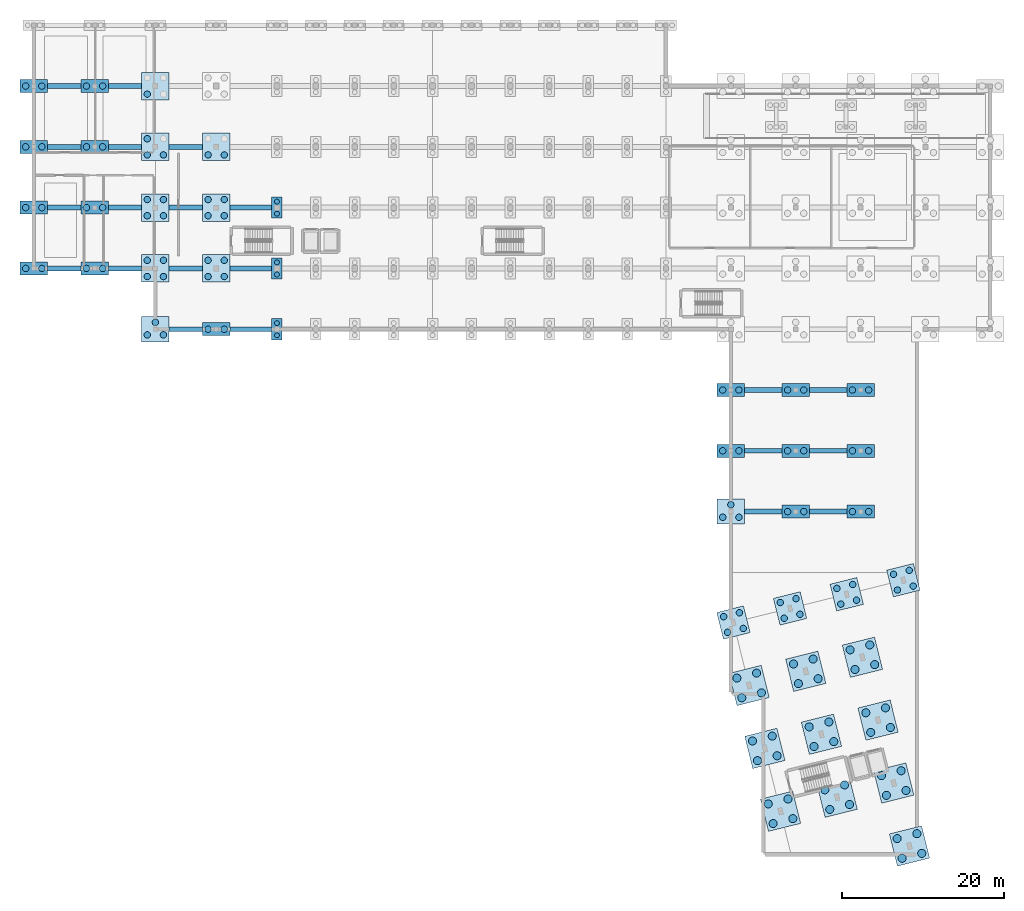
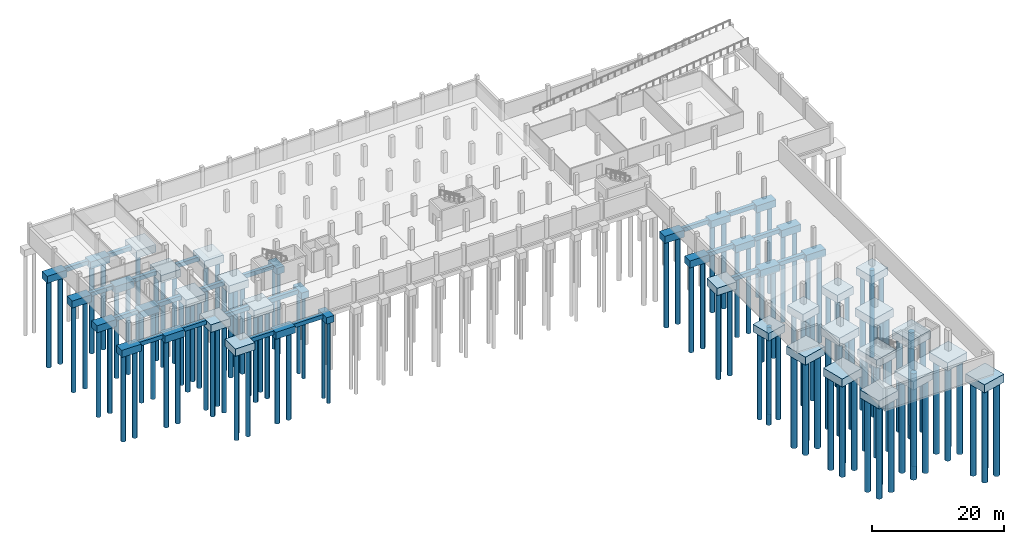
# One storey, part 1 of 17: 124 piles, 64 footings.
"""IFC4 building model written with IfcOpenShell, lengths in metres."""

from ifc_helpers import new_model, si_unit, direction, frame, origin, origin_2d, place, context, subcontext, project, spatial, rectangle, circle, extrude, material, material_profile, profile_set, type_object, element, save


model = new_model("IFC4")

# Units and contexts
model_context = context("Model", 3, precision=1e-05, world=origin(), true_north=direction((0.0, 1.0)))
body_context = subcontext(model_context, "Body", "Model", "MODEL_VIEW")
ifc_project = project(units=[si_unit("LENGTHUNIT", "METRE"), si_unit("AREAUNIT", "SQUARE_METRE"), si_unit("VOLUMEUNIT", "CUBIC_METRE"), si_unit("PLANEANGLEUNIT", "RADIAN"), si_unit("MASSUNIT", "GRAM", prefix="KILO")], contexts=[model_context])

# Site, building, storey
site_placement = place(None, origin())
site = spatial("IfcSite", under=ifc_project, at=site_placement, CompositionType="ELEMENT")
building_placement = place(site_placement, origin())
building = spatial("IfcBuilding", under=site, at=building_placement, Name="Mawjan Specialist Oncology Clinic", CompositionType="ELEMENT")
storey_placement = place(building_placement, frame((0.0, 0.0, -4.199951171875)))
storey = spatial("IfcBuildingStorey", under=building, at=storey_placement, Name="B01", CompositionType="ELEMENT", Elevation=-4.199951171875)

# Footings
ifc_material_1 = material(Name="Concrete C40/50", Category="concrete")
footing_type_1 = type_object("IfcFootingType", Name="PC-2A", PredefinedType="PILE_CAP", material=ifc_material_1)
for number, where, z_axis, x_axis, name in (
    (1, (60.0, 75.800048828125, -1.64990234375), (0.0, 0.0, 1.0), (0.0, 1.0, 0.0), "Pile Cap FTG-PC-113"),
    (2, (60.0, 83.300048828125, -1.64990234375), (0.0, 0.0, 1.0), (0.0, 1.0, 0.0), "Pile Cap FTG-PC-114"),
    (3, (60.0, 90.800048828125, -1.64990234375), (0.0, 0.0, 1.0), (0.0, 1.0, 0.0), "Pile Cap FTG-PC-115"),
):
    element("IfcFooting", number, at=place(storey_placement, frame(where, z_axis=z_axis, x_axis=x_axis)), inside=storey, type_object=footing_type_1, Name=name, PredefinedType="PILE_CAP", context=body_context, shape_type="SweptSolid", body=[
        extrude(rectangle(XDim=2.60009765625, YDim=1.300048828125, at=origin_2d()), origin(), (0.0, 0.0, 1.0), 1.199951171875),
    ])
ifc_material_2 = material(Name="Concrete C40/50", Category="concrete")
footing_type_2 = type_object("IfcFootingType", Name="PC-2B", PredefinedType="PILE_CAP", material=ifc_material_2)
for number, where, z_axis, x_axis, name in (
    (4, (30.0, 83.300048828125, -1.75), (0.0, 0.0, 1.0), (1.0, 0.0, 0.0), "Pile Cap FTG-PC-054"),
    (5, (30.0, 90.800048828125, -1.75), (0.0, 0.0, 1.0), (1.0, 0.0, 0.0), "Pile Cap FTG-PC-055"),
    (6, (30.0, 98.300048828125, -1.75), (0.0, 0.0, 1.0), (1.0, 0.0, 0.0), "Pile Cap FTG-PC-056"),
    (7, (30.0, 105.800048828125, -1.75), (0.0, 0.0, 1.0), (1.0, 0.0, 0.0), "Pile Cap FTG-PC-057"),
    (8, (37.5, 83.300048828125, -1.75), (0.0, 0.0, 1.0), (1.0, 0.0, 0.0), "Pile Cap FTG-PC-070"),
    (9, (37.5, 90.800048828125, -1.75), (0.0, 0.0, 1.0), (1.0, 0.0, 0.0), "Pile Cap FTG-PC-071"),
    (10, (37.5, 98.300048828125, -1.75), (0.0, 0.0, 1.0), (1.0, 0.0, 0.0), "Pile Cap FTG-PC-072"),
    (11, (37.5, 105.800048828125, -1.75), (0.0, 0.0, 1.0), (1.0, 0.0, 0.0), "Pile Cap FTG-PC-073"),
    (12, (52.5, 75.800048828125, -1.75), (0.0, 0.0, 1.0), (1.0, 0.0, 0.0), "Pile Cap FTG-PC-098"),
    (13, (116.0, 60.800048828125, -1.75), (0.0, 0.0, 1.0), (1.0, 0.0, 0.0), "Pile Cap FTG-PC-217"),
    (14, (116.0, 68.300048828125, -1.75), (0.0, 0.0, 1.0), (1.0, 0.0, 0.0), "Pile Cap FTG-PC-218"),
    (15, (124.0, 53.300048828125, -1.75), (0.0, 0.0, 1.0), (1.0, 0.0, 0.0), "Pile Cap FTG-PC-225"),
    (16, (124.0, 60.800048828125, -1.75), (0.0, 0.0, 1.0), (1.0, 0.0, 0.0), "Pile Cap FTG-PC-226"),
    (17, (124.0, 68.300048828125, -1.75), (0.0, 0.0, 1.0), (1.0, 0.0, 0.0), "Pile Cap FTG-PC-227"),
    (18, (132.0, 53.300048828125, -1.75), (0.0, 0.0, 1.0), (1.0, 0.0, 0.0), "Pile Cap FTG-PC-234"),
    (19, (132.0, 60.800048828125, -1.75), (0.0, 0.0, 1.0), (1.0, 0.0, 0.0), "Pile Cap FTG-PC-235"),
    (20, (132.0, 68.300048828125, -1.75), (0.0, 0.0, 1.0), (1.0, 0.0, 0.0), "Pile Cap FTG-PC-236"),
):
    element("IfcFooting", number, at=place(storey_placement, frame(where, z_axis=z_axis, x_axis=x_axis)), inside=storey, type_object=footing_type_2, Name=name, PredefinedType="PILE_CAP", context=body_context, shape_type="SweptSolid", body=[
        extrude(rectangle(XDim=3.39990234375, YDim=1.60009765625, at=origin_2d()), origin(), (0.0, 0.0, 1.0), 1.300048828125),
    ])
ifc_material_3 = material(Name="Concrete C40/50", Category="concrete")
footing_type_3 = type_object("IfcFootingType", Name="PC-3A", PredefinedType="PILE_CAP", material=ifc_material_3)
for number, where, z_axis, x_axis, name in (
    (21, (45.0, 75.800048828125, -1.800048828125), (0.0, 0.0, 1.0), (1.0, 0.0, 0.0), "Pile Cap FTG-PC-085"),
    (22, (116.0, 53.300048828125, -1.800048828125), (0.0, 0.0, 1.0), (1.0, 0.0, 0.0), "Pile Cap FTG-PC-216"),
):
    element("IfcFooting", number, at=place(storey_placement, frame(where, z_axis=z_axis, x_axis=x_axis)), inside=storey, type_object=footing_type_3, Name=name, PredefinedType="PILE_CAP", context=body_context, shape_type="SweptSolid", body=[
        extrude(rectangle(XDim=3.39990234375, YDim=3.10009765625, at=origin_2d()), origin(), (0.0, 0.0, 1.0), 1.35009765625),
    ])
ifc_material_4 = material(Name="Concrete C40/50", Category="concrete")
footing_type_4 = type_object("IfcFootingType", Name="PC-4A", PredefinedType="PILE_CAP", material=ifc_material_4)
for number, where, z_axis, x_axis, name in (
    (23, (45.0, 83.300048828125, -1.85009765625), (0.0, 0.0, 1.0), (1.0, 0.0, 0.0), "Pile Cap FTG-PC-086"),
    (24, (45.0, 90.800048828125, -1.85009765625), (0.0, 0.0, 1.0), (1.0, 0.0, 0.0), "Pile Cap FTG-PC-087"),
    (25, (45.0, 98.300048828125, -1.85009765625), (0.0, 0.0, 1.0), (1.0, 0.0, 0.0), "Pile Cap FTG-PC-088"),
    (26, (45.0, 105.800048828125, -1.85009765625), (0.0, 0.0, 1.0), (1.0, 0.0, 0.0), "Pile Cap FTG-PC-089"),
    (27, (52.5, 83.300048828125, -1.85009765625), (0.0, 0.0, 1.0), (1.0, 0.0, 0.0), "Pile Cap FTG-PC-099"),
    (28, (52.5, 90.800048828125, -1.85009765625), (0.0, 0.0, 1.0), (1.0, 0.0, 0.0), "Pile Cap FTG-PC-100"),
    (29, (52.5, 98.300048828125, -1.85009765625), (0.0, 0.0, 1.0), (1.0, 0.0, 0.0), "Pile Cap FTG-PC-101"),
    (30, (116.3232421875, 39.61181640625, -1.85009765625), (0.0, 0.0, 1.0), (0.970295726276, 0.2419218956, 0.0), "Pile Cap FTG-PC-268"),
    (31, (123.309326171875, 41.353759765625, -1.85009765625), (0.0, 0.0, 1.0), (0.970295726276, 0.2419218956, 0.0), "Pile Cap FTG-PC-274"),
    (32, (130.29541015625, 43.095458984375, -1.85009765625), (0.0, 0.0, 1.0), (0.970295726276, 0.2419218956, 0.0), "Pile Cap FTG-PC-280"),
    (33, (137.281494140625, 44.83740234375, -1.85009765625), (0.0, 0.0, 1.0), (0.970295726276, 0.2419218956, 0.0), "Pile Cap FTG-PC-286"),
):
    element("IfcFooting", number, at=place(storey_placement, frame(where, z_axis=z_axis, x_axis=x_axis)), inside=storey, type_object=footing_type_4, Name=name, PredefinedType="PILE_CAP", context=body_context, shape_type="SweptSolid", body=[
        extrude(rectangle(XDim=3.39990234375, YDim=3.39990234375, at=origin_2d()), origin(), (0.0, 0.0, 1.0), 1.39990234375),
    ])
ifc_material_5 = material(Name="Concrete C40/50", Category="concrete")
footing_type_5 = type_object("IfcFootingType", Name="PC-4B", PredefinedType="PILE_CAP", material=ifc_material_5)
for number, where, z_axis, x_axis, name in (
    (34, (122.129150390625, 16.32470703125, -1.949951171875), (0.0, 0.0, 1.0), (0.970295726276, 0.2419218956, 0.0), "Pile Cap FTG-PC-265"),
    (35, (120.19384765625, 24.087158203125, -1.949951171875), (0.0, 0.0, 1.0), (0.970295726276, 0.2419218956, 0.0), "Pile Cap FTG-PC-266"),
    (36, (118.258544921875, 31.849365234375, -1.949951171875), (0.0, 0.0, 1.0), (0.970295726276, 0.2419218956, 0.0), "Pile Cap FTG-PC-267"),
    (37, (129.115478515625, 18.066650390625, -1.949951171875), (0.0, 0.0, 1.0), (0.970295726276, 0.2419218956, 0.0), "Pile Cap FTG-PC-271"),
    (38, (127.179931640625, 25.828857421875, -1.949951171875), (0.0, 0.0, 1.0), (0.970295726276, 0.2419218956, 0.0), "Pile Cap FTG-PC-272"),
    (39, (125.24462890625, 33.59130859375, -1.949951171875), (0.0, 0.0, 1.0), (0.970295726276, 0.2419218956, 0.0), "Pile Cap FTG-PC-273"),
    (40, (138.036865234375, 12.046142578125, -1.949951171875), (0.0, 0.0, 1.0), (0.970295726276, 0.2419218956, 0.0), "Pile Cap FTG-PC-276"),
    (41, (136.1015625, 19.808349609375, -1.949951171875), (0.0, 0.0, 1.0), (0.970295726276, 0.2419218956, 0.0), "Pile Cap FTG-PC-277"),
    (42, (134.166015625, 27.57080078125, -1.949951171875), (0.0, 0.0, 1.0), (0.970295726276, 0.2419218956, 0.0), "Pile Cap FTG-PC-278"),
    (43, (132.230712890625, 35.333251953125, -1.949951171875), (0.0, 0.0, 1.0), (0.970295726276, 0.2419218956, 0.0), "Pile Cap FTG-PC-279"),
):
    element("IfcFooting", number, at=place(storey_placement, frame(where, z_axis=z_axis, x_axis=x_axis)), inside=storey, type_object=footing_type_5, Name=name, PredefinedType="PILE_CAP", context=body_context, shape_type="SweptSolid", body=[
        extrude(rectangle(XDim=4.10009765625, YDim=4.10009765625, at=origin_2d()), origin(), (0.0, 0.0, 1.0), 1.5),
    ])

# Piles
ifc_material_6 = material(Name="Concrete C40/50", Category="concrete")
ifc_material_profile_1 = material_profile(ifc_material_6, circle(Radius=0.5, at=origin_2d()), Name="BORED PILE D1000", Category="concrete")
ifc_profile_set_1 = profile_set([ifc_material_profile_1], Name="Concrete C40/50")
pile_type_1 = type_object("IfcPileType", Name="PILE-1000", PredefinedType="BORED", material=ifc_profile_set_1)
for number, where, z_axis, x_axis, name in (
    (44, (121.21875, 14.8095703125, -1.85009765625), (0.0, 0.0, -1.0), (1.0, 0.0, 0.0), "Bored Pile PIL-0654"),
    (45, (123.64453125, 15.414306640625, -1.85009765625), (0.0, 0.0, -1.0), (1.0, 0.0, 0.0), "Bored Pile PIL-0655"),
    (46, (120.614013671875, 17.235107421875, -1.85009765625), (0.0, 0.0, -1.0), (1.0, 0.0, 0.0), "Bored Pile PIL-0656"),
    (47, (123.039794921875, 17.840087890625, -1.85009765625), (0.0, 0.0, -1.0), (1.0, 0.0, 0.0), "Bored Pile PIL-0657"),
    (48, (119.283447265625, 22.57177734375, -1.85009765625), (0.0, 0.0, -1.0), (1.0, 0.0, 0.0), "Bored Pile PIL-0658"),
    (49, (121.709228515625, 23.176513671875, -1.85009765625), (0.0, 0.0, -1.0), (1.0, 0.0, 0.0), "Bored Pile PIL-0659"),
    (50, (118.6787109375, 24.99755859375, -1.85009765625), (0.0, 0.0, -1.0), (1.0, 0.0, 0.0), "Bored Pile PIL-0660"),
    (51, (121.104248046875, 25.602294921875, -1.85009765625), (0.0, 0.0, -1.0), (1.0, 0.0, 0.0), "Bored Pile PIL-0661"),
    (52, (117.34814453125, 30.334228515625, -1.85009765625), (0.0, 0.0, -1.0), (1.0, 0.0, 0.0), "Bored Pile PIL-0662"),
    (53, (119.773681640625, 30.93896484375, -1.85009765625), (0.0, 0.0, -1.0), (1.0, 0.0, 0.0), "Bored Pile PIL-0663"),
    (54, (116.7431640625, 32.760009765625, -1.85009765625), (0.0, 0.0, -1.0), (1.0, 0.0, 0.0), "Bored Pile PIL-0664"),
    (55, (119.1689453125, 33.36474609375, -1.85009765625), (0.0, 0.0, -1.0), (1.0, 0.0, 0.0), "Bored Pile PIL-0665"),
    (56, (128.204833984375, 16.55126953125, -1.85009765625), (0.0, 0.0, -1.0), (1.0, 0.0, 0.0), "Bored Pile PIL-0678"),
    (57, (130.630615234375, 17.156005859375, -1.85009765625), (0.0, 0.0, -1.0), (1.0, 0.0, 0.0), "Bored Pile PIL-0679"),
    (58, (127.60009765625, 18.97705078125, -1.85009765625), (0.0, 0.0, -1.0), (1.0, 0.0, 0.0), "Bored Pile PIL-0680"),
    (59, (130.02587890625, 19.581787109375, -1.85009765625), (0.0, 0.0, -1.0), (1.0, 0.0, 0.0), "Bored Pile PIL-0681"),
    (60, (126.26953125, 24.313720703125, -1.85009765625), (0.0, 0.0, -1.0), (1.0, 0.0, 0.0), "Bored Pile PIL-0682"),
    (61, (128.6953125, 24.91845703125, -1.85009765625), (0.0, 0.0, -1.0), (1.0, 0.0, 0.0), "Bored Pile PIL-0683"),
    (62, (125.664794921875, 26.739501953125, -1.85009765625), (0.0, 0.0, -1.0), (1.0, 0.0, 0.0), "Bored Pile PIL-0684"),
    (63, (128.090576171875, 27.34423828125, -1.85009765625), (0.0, 0.0, -1.0), (1.0, 0.0, 0.0), "Bored Pile PIL-0685"),
    (64, (124.334228515625, 32.075927734375, -1.85009765625), (0.0, 0.0, -1.0), (1.0, 0.0, 0.0), "Bored Pile PIL-0686"),
    (65, (126.760009765625, 32.680908203125, -1.85009765625), (0.0, 0.0, -1.0), (1.0, 0.0, 0.0), "Bored Pile PIL-0687"),
    (66, (123.729248046875, 34.501708984375, -1.85009765625), (0.0, 0.0, -1.0), (1.0, 0.0, 0.0), "Bored Pile PIL-0688"),
    (67, (126.155029296875, 35.106689453125, -1.85009765625), (0.0, 0.0, -1.0), (1.0, 0.0, 0.0), "Bored Pile PIL-0689"),
    (68, (137.12646484375, 10.53076171875, -1.85009765625), (0.0, 0.0, -1.0), (1.0, 0.0, 0.0), "Bored Pile PIL-0698"),
    (69, (139.55224609375, 11.135498046875, -1.85009765625), (0.0, 0.0, -1.0), (1.0, 0.0, 0.0), "Bored Pile PIL-0699"),
    (70, (136.521728515625, 12.95654296875, -1.85009765625), (0.0, 0.0, -1.0), (1.0, 0.0, 0.0), "Bored Pile PIL-0700"),
    (71, (138.947265625, 13.561279296875, -1.85009765625), (0.0, 0.0, -1.0), (1.0, 0.0, 0.0), "Bored Pile PIL-0701"),
    (72, (135.191162109375, 18.293212890625, -1.85009765625), (0.0, 0.0, -1.0), (1.0, 0.0, 0.0), "Bored Pile PIL-0702"),
    (73, (137.61669921875, 18.89794921875, -1.85009765625), (0.0, 0.0, -1.0), (1.0, 0.0, 0.0), "Bored Pile PIL-0703"),
    (74, (134.586181640625, 20.718994140625, -1.85009765625), (0.0, 0.0, -1.0), (1.0, 0.0, 0.0), "Bored Pile PIL-0704"),
    (75, (137.011962890625, 21.32373046875, -1.85009765625), (0.0, 0.0, -1.0), (1.0, 0.0, 0.0), "Bored Pile PIL-0705"),
    (76, (133.255615234375, 26.055419921875, -1.85009765625), (0.0, 0.0, -1.0), (1.0, 0.0, 0.0), "Bored Pile PIL-0706"),
    (77, (135.681396484375, 26.660400390625, -1.85009765625), (0.0, 0.0, -1.0), (1.0, 0.0, 0.0), "Bored Pile PIL-0707"),
    (78, (132.65087890625, 28.481201171875, -1.85009765625), (0.0, 0.0, -1.0), (1.0, 0.0, 0.0), "Bored Pile PIL-0708"),
    (79, (135.07666015625, 29.0859375, -1.85009765625), (0.0, 0.0, -1.0), (1.0, 0.0, 0.0), "Bored Pile PIL-0709"),
    (80, (131.3203125, 33.81787109375, -1.85009765625), (0.0, 0.0, -1.0), (1.0, 0.0, 0.0), "Bored Pile PIL-0710"),
    (81, (133.74609375, 34.422607421875, -1.85009765625), (0.0, 0.0, -1.0), (1.0, 0.0, 0.0), "Bored Pile PIL-0711"),
    (82, (130.715576171875, 36.24365234375, -1.85009765625), (0.0, 0.0, -1.0), (1.0, 0.0, 0.0), "Bored Pile PIL-0712"),
    (83, (133.14111328125, 36.848388671875, -1.85009765625), (0.0, 0.0, -1.0), (1.0, 0.0, 0.0), "Bored Pile PIL-0713"),
):
    element("IfcPile", number, at=place(storey_placement, frame(where, z_axis=z_axis, x_axis=x_axis)), inside=storey, type_object=pile_type_1, Name=name, PredefinedType="BORED", context=body_context, shape_type="SweptSolid", body=[
        extrude(circle(Radius=0.5, at=origin_2d()), origin(), (0.0, 0.0, 1.0), 17.14990234375),
    ])
ifc_material_7 = material(Name="Concrete C40/50", Category="concrete")
ifc_material_profile_2 = material_profile(ifc_material_7, circle(Radius=0.300048828125, at=origin_2d()), Name="BORED PILE D600", Category="concrete")
ifc_profile_set_2 = profile_set([ifc_material_profile_2], Name="Concrete C40/50")
pile_type_2 = type_object("IfcPileType", Name="PILE-600", PredefinedType="BORED", material=ifc_profile_set_2)
for number, where, z_axis, x_axis, name in (
    (84, (60.0, 75.050048828125, -1.550048828125), (0.0, 0.0, -1.0), (1.0, 0.0, 0.0), "Bored Pile PIL-0323"),
    (85, (60.0, 76.550048828125, -1.550048828125), (0.0, 0.0, -1.0), (1.0, 0.0, 0.0), "Bored Pile PIL-0324"),
    (86, (60.0, 82.550048828125, -1.550048828125), (0.0, 0.0, -1.0), (1.0, 0.0, 0.0), "Bored Pile PIL-0325"),
    (87, (60.0, 84.050048828125, -1.550048828125), (0.0, 0.0, -1.0), (1.0, 0.0, 0.0), "Bored Pile PIL-0326"),
    (88, (60.0, 90.050048828125, -1.550048828125), (0.0, 0.0, -1.0), (1.0, 0.0, 0.0), "Bored Pile PIL-0327"),
    (89, (60.0, 91.550048828125, -1.550048828125), (0.0, 0.0, -1.0), (1.0, 0.0, 0.0), "Bored Pile PIL-0328"),
):
    element("IfcPile", number, at=place(storey_placement, frame(where, z_axis=z_axis, x_axis=x_axis)), inside=storey, type_object=pile_type_2, Name=name, PredefinedType="BORED", context=body_context, shape_type="SweptSolid", body=[
        extrude(circle(Radius=0.300048828125, at=origin_2d()), origin(), (0.0, 0.0, 1.0), 15.050048828125),
    ])
ifc_material_8 = material(Name="Concrete C40/50", Category="concrete")
ifc_material_profile_3 = material_profile(ifc_material_8, circle(Radius=0.39990234375, at=origin_2d()), Name="BORED PILE D800", Category="concrete")
ifc_profile_set_3 = profile_set([ifc_material_profile_3], Name="Concrete C40/50")
pile_type_3 = type_object("IfcPileType", Name="PILE-800", PredefinedType="BORED", material=ifc_profile_set_3)
for number, where, z_axis, x_axis, name in (
    (90, (29.0, 83.300048828125, -1.650146484375), (0.0, 0.0, -1.0), (1.0, 0.0, 0.0), "Bored Pile PIL-0164"),
    (91, (31.0, 83.300048828125, -1.650146484375), (0.0, 0.0, -1.0), (1.0, 0.0, 0.0), "Bored Pile PIL-0165"),
    (92, (29.0, 90.800048828125, -1.650146484375), (0.0, 0.0, -1.0), (1.0, 0.0, 0.0), "Bored Pile PIL-0166"),
    (93, (31.0, 90.800048828125, -1.650146484375), (0.0, 0.0, -1.0), (1.0, 0.0, 0.0), "Bored Pile PIL-0167"),
    (94, (29.0, 98.300048828125, -1.650146484375), (0.0, 0.0, -1.0), (1.0, 0.0, 0.0), "Bored Pile PIL-0168"),
    (95, (31.0, 98.300048828125, -1.650146484375), (0.0, 0.0, -1.0), (1.0, 0.0, 0.0), "Bored Pile PIL-0169"),
    (96, (29.0, 105.800048828125, -1.650146484375), (0.0, 0.0, -1.0), (1.0, 0.0, 0.0), "Bored Pile PIL-0170"),
    (97, (31.0, 105.800048828125, -1.650146484375), (0.0, 0.0, -1.0), (1.0, 0.0, 0.0), "Bored Pile PIL-0171"),
    (98, (36.5, 83.300048828125, -1.650146484375), (0.0, 0.0, -1.0), (1.0, 0.0, 0.0), "Bored Pile PIL-0210"),
    (99, (38.5, 83.300048828125, -1.650146484375), (0.0, 0.0, -1.0), (1.0, 0.0, 0.0), "Bored Pile PIL-0211"),
    (100, (36.5, 90.800048828125, -1.650146484375), (0.0, 0.0, -1.0), (1.0, 0.0, 0.0), "Bored Pile PIL-0212"),
    (101, (38.5, 90.800048828125, -1.650146484375), (0.0, 0.0, -1.0), (1.0, 0.0, 0.0), "Bored Pile PIL-0213"),
    (102, (36.5, 98.300048828125, -1.650146484375), (0.0, 0.0, -1.0), (1.0, 0.0, 0.0), "Bored Pile PIL-0214"),
    (103, (38.5, 98.300048828125, -1.650146484375), (0.0, 0.0, -1.0), (1.0, 0.0, 0.0), "Bored Pile PIL-0215"),
    (104, (36.5, 105.800048828125, -1.650146484375), (0.0, 0.0, -1.0), (1.0, 0.0, 0.0), "Bored Pile PIL-0216"),
    (105, (38.5, 105.800048828125, -1.650146484375), (0.0, 0.0, -1.0), (1.0, 0.0, 0.0), "Bored Pile PIL-0217"),
):
    element("IfcPile", number, at=place(storey_placement, frame(where, z_axis=z_axis, x_axis=x_axis)), inside=storey, type_object=pile_type_3, Name=name, PredefinedType="BORED", context=body_context, shape_type="SweptSolid", body=[
        extrude(circle(Radius=0.39990234375, at=origin_2d()), origin(), (0.0, 0.0, 1.0), 16.14990234375),
    ])
for number, where, z_axis, x_axis, name in (
    (106, (44.0, 75.10009765625, -1.699951171875), (0.0, 0.0, -1.0), (1.0, 0.0, 0.0), "Bored Pile PIL-0250"),
    (107, (46.0, 75.10009765625, -1.699951171875), (0.0, 0.0, -1.0), (1.0, 0.0, 0.0), "Bored Pile PIL-0251"),
    (108, (45.0, 76.64990234375, -1.699951171875), (0.0, 0.0, -1.0), (1.0, 0.0, 0.0), "Bored Pile PIL-0252"),
):
    element("IfcPile", number, at=place(storey_placement, frame(where, z_axis=z_axis, x_axis=x_axis)), inside=storey, type_object=pile_type_3, Name=name, PredefinedType="BORED", context=body_context, shape_type="SweptSolid", body=[
        extrude(circle(Radius=0.39990234375, at=origin_2d()), origin(), (0.0, 0.0, 1.0), 16.10009765625),
    ])
for number, where, z_axis, x_axis, name in (
    (109, (44.0, 82.300048828125, -1.75), (0.0, 0.0, -1.0), (1.0, 0.0, 0.0), "Bored Pile PIL-0253"),
    (110, (46.0, 82.300048828125, -1.75), (0.0, 0.0, -1.0), (1.0, 0.0, 0.0), "Bored Pile PIL-0254"),
    (111, (44.0, 84.300048828125, -1.75), (0.0, 0.0, -1.0), (1.0, 0.0, 0.0), "Bored Pile PIL-0255"),
    (112, (46.0, 84.300048828125, -1.75), (0.0, 0.0, -1.0), (1.0, 0.0, 0.0), "Bored Pile PIL-0256"),
    (113, (44.0, 89.800048828125, -1.75), (0.0, 0.0, -1.0), (1.0, 0.0, 0.0), "Bored Pile PIL-0257"),
    (114, (46.0, 89.800048828125, -1.75), (0.0, 0.0, -1.0), (1.0, 0.0, 0.0), "Bored Pile PIL-0258"),
    (115, (44.0, 91.800048828125, -1.75), (0.0, 0.0, -1.0), (1.0, 0.0, 0.0), "Bored Pile PIL-0259"),
    (116, (46.0, 91.800048828125, -1.75), (0.0, 0.0, -1.0), (1.0, 0.0, 0.0), "Bored Pile PIL-0260"),
    (117, (44.0, 97.300048828125, -1.75), (0.0, 0.0, -1.0), (1.0, 0.0, 0.0), "Bored Pile PIL-0261"),
    (118, (46.0, 97.300048828125, -1.75), (0.0, 0.0, -1.0), (1.0, 0.0, 0.0), "Bored Pile PIL-0262"),
    (119, (44.0, 99.300048828125, -1.75), (0.0, 0.0, -1.0), (1.0, 0.0, 0.0), "Bored Pile PIL-0263"),
    (120, (44.0, 104.800048828125, -1.75), (0.0, 0.0, -1.0), (1.0, 0.0, 0.0), "Bored Pile PIL-0265"),
):
    element("IfcPile", number, at=place(storey_placement, frame(where, z_axis=z_axis, x_axis=x_axis)), inside=storey, type_object=pile_type_3, Name=name, PredefinedType="BORED", context=body_context, shape_type="SweptSolid", body=[
        extrude(circle(Radius=0.39990234375, at=origin_2d()), origin(), (0.0, 0.0, 1.0), 16.050048828125),
    ])
for number, where, z_axis, x_axis, name in (
    (121, (51.5, 75.800048828125, -1.650146484375), (0.0, 0.0, -1.0), (1.0, 0.0, 0.0), "Bored Pile PIL-0285"),
    (122, (53.5, 75.800048828125, -1.650146484375), (0.0, 0.0, -1.0), (1.0, 0.0, 0.0), "Bored Pile PIL-0286"),
):
    element("IfcPile", number, at=place(storey_placement, frame(where, z_axis=z_axis, x_axis=x_axis)), inside=storey, type_object=pile_type_3, Name=name, PredefinedType="BORED", context=body_context, shape_type="SweptSolid", body=[
        extrude(circle(Radius=0.39990234375, at=origin_2d()), origin(), (0.0, 0.0, 1.0), 16.14990234375),
    ])
for number, where, z_axis, x_axis, name in (
    (123, (51.5, 82.300048828125, -1.75), (0.0, 0.0, -1.0), (1.0, 0.0, 0.0), "Bored Pile PIL-0287"),
    (124, (53.5, 82.300048828125, -1.75), (0.0, 0.0, -1.0), (1.0, 0.0, 0.0), "Bored Pile PIL-0288"),
    (125, (51.5, 84.300048828125, -1.75), (0.0, 0.0, -1.0), (1.0, 0.0, 0.0), "Bored Pile PIL-0289"),
    (126, (53.5, 84.300048828125, -1.75), (0.0, 0.0, -1.0), (1.0, 0.0, 0.0), "Bored Pile PIL-0290"),
    (127, (51.5, 89.800048828125, -1.75), (0.0, 0.0, -1.0), (1.0, 0.0, 0.0), "Bored Pile PIL-0291"),
    (128, (53.5, 89.800048828125, -1.75), (0.0, 0.0, -1.0), (1.0, 0.0, 0.0), "Bored Pile PIL-0292"),
    (129, (51.5, 91.800048828125, -1.75), (0.0, 0.0, -1.0), (1.0, 0.0, 0.0), "Bored Pile PIL-0293"),
    (130, (53.5, 91.800048828125, -1.75), (0.0, 0.0, -1.0), (1.0, 0.0, 0.0), "Bored Pile PIL-0294"),
    (131, (51.5, 97.300048828125, -1.75), (0.0, 0.0, -1.0), (1.0, 0.0, 0.0), "Bored Pile PIL-0295"),
    (132, (53.5, 97.300048828125, -1.75), (0.0, 0.0, -1.0), (1.0, 0.0, 0.0), "Bored Pile PIL-0296"),
):
    element("IfcPile", number, at=place(storey_placement, frame(where, z_axis=z_axis, x_axis=x_axis)), inside=storey, type_object=pile_type_3, Name=name, PredefinedType="BORED", context=body_context, shape_type="SweptSolid", body=[
        extrude(circle(Radius=0.39990234375, at=origin_2d()), origin(), (0.0, 0.0, 1.0), 16.050048828125),
    ])
for number, where, z_axis, x_axis, name in (
    (133, (115.0, 52.60009765625, -1.699951171875), (0.0, 0.0, -1.0), (1.0, 0.0, 0.0), "Bored Pile PIL-0529"),
    (134, (117.0, 52.60009765625, -1.699951171875), (0.0, 0.0, -1.0), (1.0, 0.0, 0.0), "Bored Pile PIL-0530"),
    (135, (116.0, 54.14990234375, -1.699951171875), (0.0, 0.0, -1.0), (1.0, 0.0, 0.0), "Bored Pile PIL-0531"),
):
    element("IfcPile", number, at=place(storey_placement, frame(where, z_axis=z_axis, x_axis=x_axis)), inside=storey, type_object=pile_type_3, Name=name, PredefinedType="BORED", context=body_context, shape_type="SweptSolid", body=[
        extrude(circle(Radius=0.39990234375, at=origin_2d()), origin(), (0.0, 0.0, 1.0), 16.10009765625),
    ])
for number, where, z_axis, x_axis, name in (
    (136, (115.0, 60.800048828125, -1.650146484375), (0.0, 0.0, -1.0), (1.0, 0.0, 0.0), "Bored Pile PIL-0532"),
    (137, (117.0, 60.800048828125, -1.650146484375), (0.0, 0.0, -1.0), (1.0, 0.0, 0.0), "Bored Pile PIL-0533"),
    (138, (115.0, 68.300048828125, -1.650146484375), (0.0, 0.0, -1.0), (1.0, 0.0, 0.0), "Bored Pile PIL-0534"),
    (139, (117.0, 68.300048828125, -1.650146484375), (0.0, 0.0, -1.0), (1.0, 0.0, 0.0), "Bored Pile PIL-0535"),
    (140, (123.0, 53.300048828125, -1.650146484375), (0.0, 0.0, -1.0), (1.0, 0.0, 0.0), "Bored Pile PIL-0553"),
    (141, (125.0, 53.300048828125, -1.650146484375), (0.0, 0.0, -1.0), (1.0, 0.0, 0.0), "Bored Pile PIL-0554"),
    (142, (123.0, 60.800048828125, -1.650146484375), (0.0, 0.0, -1.0), (1.0, 0.0, 0.0), "Bored Pile PIL-0555"),
    (143, (125.0, 60.800048828125, -1.650146484375), (0.0, 0.0, -1.0), (1.0, 0.0, 0.0), "Bored Pile PIL-0556"),
    (144, (123.0, 68.300048828125, -1.650146484375), (0.0, 0.0, -1.0), (1.0, 0.0, 0.0), "Bored Pile PIL-0557"),
    (145, (125.0, 68.300048828125, -1.650146484375), (0.0, 0.0, -1.0), (1.0, 0.0, 0.0), "Bored Pile PIL-0558"),
    (146, (131.0, 53.300048828125, -1.650146484375), (0.0, 0.0, -1.0), (1.0, 0.0, 0.0), "Bored Pile PIL-0576"),
    (147, (133.0, 53.300048828125, -1.650146484375), (0.0, 0.0, -1.0), (1.0, 0.0, 0.0), "Bored Pile PIL-0577"),
    (148, (131.0, 60.800048828125, -1.650146484375), (0.0, 0.0, -1.0), (1.0, 0.0, 0.0), "Bored Pile PIL-0578"),
    (149, (133.0, 60.800048828125, -1.650146484375), (0.0, 0.0, -1.0), (1.0, 0.0, 0.0), "Bored Pile PIL-0579"),
    (150, (131.0, 68.300048828125, -1.650146484375), (0.0, 0.0, -1.0), (1.0, 0.0, 0.0), "Bored Pile PIL-0580"),
    (151, (133.0, 68.300048828125, -1.650146484375), (0.0, 0.0, -1.0), (1.0, 0.0, 0.0), "Bored Pile PIL-0581"),
):
    element("IfcPile", number, at=place(storey_placement, frame(where, z_axis=z_axis, x_axis=x_axis)), inside=storey, type_object=pile_type_3, Name=name, PredefinedType="BORED", context=body_context, shape_type="SweptSolid", body=[
        extrude(circle(Radius=0.39990234375, at=origin_2d()), origin(), (0.0, 0.0, 1.0), 16.14990234375),
    ])
for number, where, z_axis, x_axis, name in (
    (152, (115.5947265625, 38.399658203125, -1.75), (0.0, 0.0, -1.0), (1.0, 0.0, 0.0), "Bored Pile PIL-0666"),
    (153, (117.535400390625, 38.883544921875, -1.75), (0.0, 0.0, -1.0), (1.0, 0.0, 0.0), "Bored Pile PIL-0667"),
    (154, (115.11083984375, 40.340087890625, -1.75), (0.0, 0.0, -1.0), (1.0, 0.0, 0.0), "Bored Pile PIL-0668"),
    (155, (117.051513671875, 40.823974609375, -1.75), (0.0, 0.0, -1.0), (1.0, 0.0, 0.0), "Bored Pile PIL-0669"),
    (156, (122.580810546875, 40.141357421875, -1.75), (0.0, 0.0, -1.0), (1.0, 0.0, 0.0), "Bored Pile PIL-0690"),
    (157, (124.521484375, 40.625244140625, -1.75), (0.0, 0.0, -1.0), (1.0, 0.0, 0.0), "Bored Pile PIL-0691"),
    (158, (122.096923828125, 42.08203125, -1.75), (0.0, 0.0, -1.0), (1.0, 0.0, 0.0), "Bored Pile PIL-0692"),
    (159, (124.03759765625, 42.56591796875, -1.75), (0.0, 0.0, -1.0), (1.0, 0.0, 0.0), "Bored Pile PIL-0693"),
    (160, (129.56689453125, 41.88330078125, -1.75), (0.0, 0.0, -1.0), (1.0, 0.0, 0.0), "Bored Pile PIL-0714"),
    (161, (131.507568359375, 42.3671875, -1.75), (0.0, 0.0, -1.0), (1.0, 0.0, 0.0), "Bored Pile PIL-0715"),
    (162, (129.083251953125, 43.823974609375, -1.75), (0.0, 0.0, -1.0), (1.0, 0.0, 0.0), "Bored Pile PIL-0716"),
    (163, (131.023681640625, 44.3076171875, -1.75), (0.0, 0.0, -1.0), (1.0, 0.0, 0.0), "Bored Pile PIL-0717"),
    (164, (136.55322265625, 43.625244140625, -1.75), (0.0, 0.0, -1.0), (1.0, 0.0, 0.0), "Bored Pile PIL-0738"),
    (165, (138.49365234375, 44.10888671875, -1.75), (0.0, 0.0, -1.0), (1.0, 0.0, 0.0), "Bored Pile PIL-0739"),
    (166, (136.0693359375, 45.565673828125, -1.75), (0.0, 0.0, -1.0), (1.0, 0.0, 0.0), "Bored Pile PIL-0740"),
    (167, (138.009765625, 46.049560546875, -1.75), (0.0, 0.0, -1.0), (1.0, 0.0, 0.0), "Bored Pile PIL-0741"),
):
    element("IfcPile", number, at=place(storey_placement, frame(where, z_axis=z_axis, x_axis=x_axis)), inside=storey, type_object=pile_type_3, Name=name, PredefinedType="BORED", context=body_context, shape_type="SweptSolid", body=[
        extrude(circle(Radius=0.39990234375, at=origin_2d()), origin(), (0.0, 0.0, 1.0), 16.050048828125),
    ])

# Footings
ifc_material_9 = material(Name="Concrete C40/50", Category="concrete")
footing_type_6 = type_object("IfcFootingType", Name="SF-600", PredefinedType="STRIP_FOOTING", material=ifc_material_9)
for number, where, z_axis, x_axis, name in (
    (168, (120.0, 53.300048828125, -1.199951171875), (0.0, 0.0, 1.0), (1.0, 0.0, 0.0), "Foundation Tie Strip FTG-SF-103"),
    (169, (128.0, 53.300048828125, -1.199951171875), (0.0, 0.0, 1.0), (1.0, 0.0, 0.0), "Foundation Tie Strip FTG-SF-104"),
    (170, (120.0, 60.800048828125, -1.199951171875), (0.0, 0.0, 1.0), (1.0, 0.0, 0.0), "Foundation Tie Strip FTG-SF-117"),
    (171, (128.0, 60.800048828125, -1.199951171875), (0.0, 0.0, 1.0), (1.0, 0.0, 0.0), "Foundation Tie Strip FTG-SF-118"),
    (172, (120.0, 68.300048828125, -1.199951171875), (0.0, 0.0, 1.0), (1.0, 0.0, 0.0), "Foundation Tie Strip FTG-SF-135"),
    (173, (128.0, 68.300048828125, -1.199951171875), (0.0, 0.0, 1.0), (1.0, 0.0, 0.0), "Foundation Tie Strip FTG-SF-136"),
):
    element("IfcFooting", number, at=place(storey_placement, frame(where, z_axis=z_axis, x_axis=x_axis)), inside=storey, type_object=footing_type_6, Name=name, PredefinedType="STRIP_FOOTING", context=body_context, shape_type="SweptSolid", body=[
        extrude(rectangle(XDim=4.60009765625, YDim=0.60009765625, at=origin_2d()), origin(), (0.0, 0.0, 1.0), 0.75),
    ])
footing_1_placement = place(storey_placement, frame((48.75, 75.800048828125, -1.199951171875), z_axis=(0.0, 0.0, 1.0), x_axis=(1.0, 0.0, 0.0)))
element("IfcFooting", 174, at=footing_1_placement, inside=storey, type_object=footing_type_6, Name="Foundation Tie Strip FTG-SF-142", PredefinedType="STRIP_FOOTING", context=body_context, shape_type="SweptSolid", body=[
    extrude(rectangle(XDim=4.10009765625, YDim=0.60009765625, at=origin_2d()), origin(), (0.0, 0.0, 1.0), 0.75),
])
footing_2_placement = place(storey_placement, frame((56.77490234375, 75.800048828125, -1.199951171875), z_axis=(0.0, 0.0, 1.0), x_axis=(1.0, 0.0, 0.0)))
element("IfcFooting", 175, at=footing_2_placement, inside=storey, type_object=footing_type_6, Name="Foundation Tie Strip FTG-SF-143", PredefinedType="STRIP_FOOTING", context=body_context, shape_type="SweptSolid", body=[
    extrude(rectangle(XDim=5.14990234375, YDim=0.60009765625, at=origin_2d()), origin(), (0.0, 0.0, 1.0), 0.75),
])
for number, where, z_axis, x_axis, name in (
    (176, (33.75, 83.300048828125, -1.199951171875), (0.0, 0.0, 1.0), (1.0, 0.0, 0.0), "Foundation Tie Strip FTG-SF-160"),
    (177, (41.25, 83.300048828125, -1.199951171875), (0.0, 0.0, 1.0), (1.0, 0.0, 0.0), "Foundation Tie Strip FTG-SF-161"),
    (178, (48.75, 83.300048828125, -1.199951171875), (0.0, 0.0, 1.0), (1.0, 0.0, 0.0), "Foundation Tie Strip FTG-SF-162"),
):
    element("IfcFooting", number, at=place(storey_placement, frame(where, z_axis=z_axis, x_axis=x_axis)), inside=storey, type_object=footing_type_6, Name=name, PredefinedType="STRIP_FOOTING", context=body_context, shape_type="SweptSolid", body=[
        extrude(rectangle(XDim=4.10009765625, YDim=0.60009765625, at=origin_2d()), origin(), (0.0, 0.0, 1.0), 0.75),
    ])
footing_3_placement = place(storey_placement, frame((56.77490234375, 83.300048828125, -1.199951171875), z_axis=(0.0, 0.0, 1.0), x_axis=(1.0, 0.0, 0.0)))
element("IfcFooting", 179, at=footing_3_placement, inside=storey, type_object=footing_type_6, Name="Foundation Tie Strip FTG-SF-163", PredefinedType="STRIP_FOOTING", context=body_context, shape_type="SweptSolid", body=[
    extrude(rectangle(XDim=5.14990234375, YDim=0.60009765625, at=origin_2d()), origin(), (0.0, 0.0, 1.0), 0.75),
])
for number, where, z_axis, x_axis, name in (
    (180, (33.75, 90.800048828125, -1.199951171875), (0.0, 0.0, 1.0), (1.0, 0.0, 0.0), "Foundation Tie Strip FTG-SF-180"),
    (181, (41.25, 90.800048828125, -1.199951171875), (0.0, 0.0, 1.0), (1.0, 0.0, 0.0), "Foundation Tie Strip FTG-SF-181"),
    (182, (48.75, 90.800048828125, -1.199951171875), (0.0, 0.0, 1.0), (1.0, 0.0, 0.0), "Foundation Tie Strip FTG-SF-182"),
):
    element("IfcFooting", number, at=place(storey_placement, frame(where, z_axis=z_axis, x_axis=x_axis)), inside=storey, type_object=footing_type_6, Name=name, PredefinedType="STRIP_FOOTING", context=body_context, shape_type="SweptSolid", body=[
        extrude(rectangle(XDim=4.10009765625, YDim=0.60009765625, at=origin_2d()), origin(), (0.0, 0.0, 1.0), 0.75),
    ])
footing_4_placement = place(storey_placement, frame((56.77490234375, 90.800048828125, -1.199951171875), z_axis=(0.0, 0.0, 1.0), x_axis=(1.0, 0.0, 0.0)))
element("IfcFooting", 183, at=footing_4_placement, inside=storey, type_object=footing_type_6, Name="Foundation Tie Strip FTG-SF-183", PredefinedType="STRIP_FOOTING", context=body_context, shape_type="SweptSolid", body=[
    extrude(rectangle(XDim=5.14990234375, YDim=0.60009765625, at=origin_2d()), origin(), (0.0, 0.0, 1.0), 0.75),
])
for number, where, z_axis, x_axis, name in (
    (184, (33.75, 98.300048828125, -1.199951171875), (0.0, 0.0, 1.0), (1.0, 0.0, 0.0), "Foundation Tie Strip FTG-SF-200"),
    (185, (41.25, 98.300048828125, -1.199951171875), (0.0, 0.0, 1.0), (1.0, 0.0, 0.0), "Foundation Tie Strip FTG-SF-201"),
    (186, (48.75, 98.300048828125, -1.199951171875), (0.0, 0.0, 1.0), (1.0, 0.0, 0.0), "Foundation Tie Strip FTG-SF-202"),
    (187, (33.75, 105.800048828125, -1.199951171875), (0.0, 0.0, 1.0), (1.0, 0.0, 0.0), "Foundation Tie Strip FTG-SF-220"),
    (188, (41.25, 105.800048828125, -1.199951171875), (0.0, 0.0, 1.0), (1.0, 0.0, 0.0), "Foundation Tie Strip FTG-SF-221"),
):
    element("IfcFooting", number, at=place(storey_placement, frame(where, z_axis=z_axis, x_axis=x_axis)), inside=storey, type_object=footing_type_6, Name=name, PredefinedType="STRIP_FOOTING", context=body_context, shape_type="SweptSolid", body=[
        extrude(rectangle(XDim=4.10009765625, YDim=0.60009765625, at=origin_2d()), origin(), (0.0, 0.0, 1.0), 0.75),
    ])

save(model, "model.ifc")
